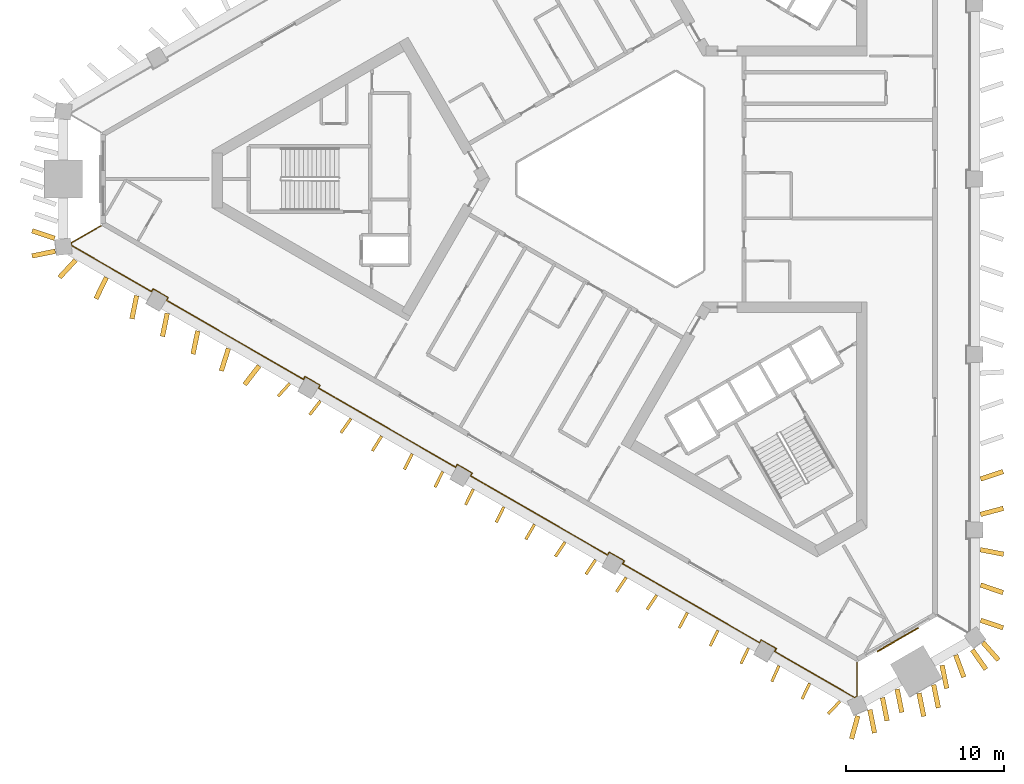
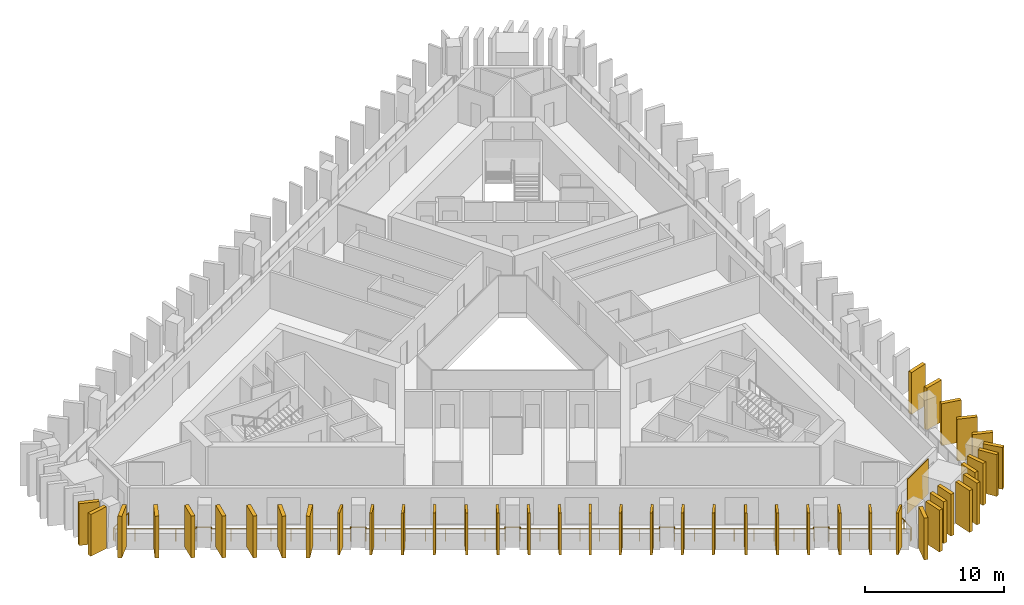
# One storey, part 8 of 11: 43 shading devices, 1 covering, 1 railing.
"""IFC4 building model written with IfcOpenShell, lengths in metres."""

from ifc_helpers import new_model, si_unit, direction, frame, frame_2d, origin, origin_2d, place, context, subcontext, project, spatial, rectangle, circle, extrude, material, layer, layer_set, type_object, element, save


model = new_model("IFC4")

# Units and contexts
model_context = context("Model", 3, precision=1e-05, world=origin(), true_north=direction((0.0, 1.0)))
body_context = subcontext(model_context, "Body", "Model", "MODEL_VIEW")
ifc_project = project(units=[si_unit("LENGTHUNIT", "METRE"), si_unit("AREAUNIT", "SQUARE_METRE"), si_unit("VOLUMEUNIT", "CUBIC_METRE"), si_unit("PLANEANGLEUNIT", "RADIAN"), si_unit("MASSUNIT", "GRAM", prefix="KILO")], contexts=[model_context])

# Site, building, storey
site_placement = place(None, origin())
site = spatial("IfcSite", under=ifc_project, at=site_placement, CompositionType="ELEMENT")
building_placement = place(site_placement, origin())
building = spatial("IfcBuilding", under=site, at=building_placement, Name="Jabali Bay Hotel Tower and Convention Centre", CompositionType="ELEMENT")
storey_placement = place(building_placement, frame((0.0, 0.0, 143.800048828125)))
storey = spatial("IfcBuildingStorey", under=building, at=storey_placement, Name="L35", CompositionType="ELEMENT", Elevation=143.800048828125)

# Railing
ifc_material_1 = material(Name="Glass", Category="glass")
railing_type = type_object("IfcRailingType", Name="Loggia glass guard 1100", PredefinedType="BALUSTRADE", material=ifc_material_1)
railing_placement = place(storey_placement, frame((89.259521484375, 49.36328125, 0.0)))
element("IfcRailing", 1, at=railing_placement, inside=storey, type_object=railing_type, Name="Loggia glass guard L35", PredefinedType="BALUSTRADE", context=body_context, shape_type="SweptSolid", body=[
    extrude(circle(Radius=0.02490234375, at=origin_2d()), frame((0.0, 0.0, 1.0751953125), z_axis=(0.0, -1.0, 0.0), x_axis=(0.991444861374, 0.0, 0.13052619222)), (0.0, 0.0, 1.0), 2.16552734375),
    extrude(circle(Radius=0.02490234375, at=origin_2d()), frame((0.0, -2.16552734375, 1.0751953125), z_axis=(-0.919226147347, -0.393729970962, 0.0), x_axis=(0.39036155648, -0.911362040227, 0.13052619222)), (0.0, 0.0, 1.0), 0.155517578125),
    extrude(circle(Radius=0.02490234375, at=origin_2d()), frame((-0.14306640625, -2.226806640625, 1.0751953125), z_axis=(-0.866030021115, 0.499992002463, 0.0), x_axis=(-0.49571450157, -0.85862101423, 0.13052619222)), (0.0, 0.0, 1.0), 5.85400390625),
    extrude(circle(Radius=0.02490234375, at=origin_2d()), frame((-5.212890625, 0.7001953125, 1.0751953125), z_axis=(0.499687197852, 0.866205924883, 0.0), x_axis=(-0.858795413117, 0.495412304605, 0.13052619222)), (0.0, 0.0, 1.0), 0.199951171875),
    extrude(circle(Radius=0.02490234375, at=origin_2d()), frame((-5.113037109375, 0.873291015625, 1.0751953125), z_axis=(-0.866008176907, 0.50002983664, 0.0), x_axis=(-0.495752012071, -0.858599356902, 0.13052619222)), (0.0, 0.0, 1.0), 1.10009765625),
    extrude(circle(Radius=0.02490234375, at=origin_2d()), frame((-6.065673828125, 1.42333984375, 1.0751953125), z_axis=(-0.499687197852, -0.866205924883, 0.0), x_axis=(0.858795413117, -0.495412304605, 0.13052619222)), (0.0, 0.0, 1.0), 0.199951171875),
    extrude(circle(Radius=0.02490234375, at=origin_2d()), frame((-6.16552734375, 1.250244140625, 1.0751953125), z_axis=(-0.866025822098, 0.499999275459, 0.0), x_axis=(-0.495721712344, -0.858616851136, 0.13052619222)), (0.0, 0.0, 1.0), 10.0263671875),
    extrude(circle(Radius=0.02490234375, at=origin_2d()), frame((-14.8486328125, 6.263427734375, 1.0751953125), z_axis=(0.499687197852, 0.866205924883, 0.0), x_axis=(-0.858795413117, 0.495412304605, 0.13052619222)), (0.0, 0.0, 1.0), 0.199951171875),
    extrude(circle(Radius=0.02490234375, at=origin_2d()), frame((-14.748779296875, 6.4365234375, 1.0751953125), z_axis=(-0.866008176907, 0.50002983664, 0.0), x_axis=(-0.495752012071, -0.858599356902, 0.13052619222)), (0.0, 0.0, 1.0), 1.10009765625),
    extrude(circle(Radius=0.02490234375, at=origin_2d()), frame((-15.701416015625, 6.986572265625, 1.0751953125), z_axis=(-0.499687197852, -0.866205924883, 0.0), x_axis=(0.858795413117, -0.495412304605, 0.13052619222)), (0.0, 0.0, 1.0), 0.199951171875),
    extrude(circle(Radius=0.02490234375, at=origin_2d()), frame((-15.80126953125, 6.8134765625, 1.0751953125), z_axis=(-0.866025822098, 0.499999275459, 0.0), x_axis=(-0.495721712344, -0.858616851136, 0.13052619222)), (0.0, 0.0, 1.0), 10.0263671875),
    extrude(circle(Radius=0.02490234375, at=origin_2d()), frame((-24.484375, 11.82666015625, 1.0751953125), z_axis=(0.499687197852, 0.866205924883, 0.0), x_axis=(-0.858795413117, 0.495412304605, 0.13052619222)), (0.0, 0.0, 1.0), 0.199951171875),
    extrude(circle(Radius=0.02490234375, at=origin_2d()), frame((-24.384521484375, 11.999755859375, 1.0751953125), z_axis=(-0.866008176907, 0.50002983664, 0.0), x_axis=(-0.495752012071, -0.858599356902, 0.13052619222)), (0.0, 0.0, 1.0), 1.10009765625),
    extrude(circle(Radius=0.02490234375, at=origin_2d()), frame((-25.337158203125, 12.5498046875, 1.0751953125), z_axis=(-0.499687197852, -0.866205924883, 0.0), x_axis=(0.858795413117, -0.495412304605, 0.13052619222)), (0.0, 0.0, 1.0), 0.199951171875),
    extrude(circle(Radius=0.02490234375, at=origin_2d()), frame((-25.43701171875, 12.376708984375, 1.0751953125), z_axis=(-0.866025822098, 0.499999275459, 0.0), x_axis=(-0.495721712344, -0.858616851136, 0.13052619222)), (0.0, 0.0, 1.0), 10.0263671875),
    extrude(circle(Radius=0.02490234375, at=origin_2d()), frame((-34.1201171875, 17.389892578125, 1.0751953125), z_axis=(0.499687197852, 0.866205924883, 0.0), x_axis=(-0.858795413117, 0.495412304605, 0.13052619222)), (0.0, 0.0, 1.0), 0.199951171875),
    extrude(circle(Radius=0.02490234375, at=origin_2d()), frame((-34.020263671875, 17.56298828125, 1.0751953125), z_axis=(-0.866008176907, 0.50002983664, 0.0), x_axis=(-0.495752012071, -0.858599356902, 0.13052619222)), (0.0, 0.0, 1.0), 1.10009765625),
    extrude(circle(Radius=0.02490234375, at=origin_2d()), frame((-34.972900390625, 18.113037109375, 1.0751953125), z_axis=(-0.499158860599, -0.866510491504, 0.0), x_axis=(0.859097374128, -0.49488848735, 0.13052619222)), (0.0, 0.0, 1.0), 0.199951171875),
    extrude(circle(Radius=0.02490234375, at=origin_2d()), frame((-35.07275390625, 17.939697265625, 1.0751953125), z_axis=(-0.866015278261, 0.50001753751, 0.0), x_axis=(-0.495739818162, -0.858606397503, 0.13052619222)), (0.0, 0.0, 1.0), 10.026611328125),
    extrude(circle(Radius=0.02490234375, at=origin_2d()), frame((-43.755859375, 22.953125, 1.0751953125), z_axis=(0.499687197852, 0.866205924883, 0.0), x_axis=(-0.858795413117, 0.495412304605, 0.13052619222)), (0.0, 0.0, 1.0), 0.199951171875),
    extrude(circle(Radius=0.02490234375, at=origin_2d()), frame((-43.656005859375, 23.126220703125, 1.0751953125), z_axis=(-0.866008176907, 0.50002983664, 0.0), x_axis=(-0.495752012071, -0.858599356902, 0.13052619222)), (0.0, 0.0, 1.0), 1.10009765625),
    extrude(circle(Radius=0.02490234375, at=origin_2d()), frame((-44.608642578125, 23.67626953125, 1.0751953125), z_axis=(-0.499158860599, -0.866510491504, 0.0), x_axis=(0.859097374128, -0.49488848735, 0.13052619222)), (0.0, 0.0, 1.0), 0.199951171875),
    extrude(circle(Radius=0.02490234375, at=origin_2d()), frame((-44.70849609375, 23.5029296875, 1.0751953125), z_axis=(-0.866022388905, 0.500005221889, 0.0), x_axis=(-0.495727607902, -0.858613447314, 0.13052619222)), (0.0, 0.0, 1.0), 5.8544921875),
    extrude(circle(Radius=0.02490234375, at=origin_2d()), frame((-49.778564453125, 26.43017578125, 1.0751953125), z_axis=(-0.117660413428, 0.993053889329, 0.0), x_axis=(-0.984558175643, -0.11665381228, 0.13052619222)), (0.0, 0.0, 1.0), 0.155517578125),
    extrude(circle(Radius=0.02490234375, at=origin_2d()), frame((-49.796875, 26.584716796875, 1.0751953125), z_axis=(0.866007213464, 0.500031505235, 0.0), x_axis=(-0.495753666391, 0.858598401702, 0.13052619222)), (0.0, 0.0, 1.0), 2.165283203125),
    extrude(circle(Radius=0.02001953125, at=origin_2d()), origin(), (0.0, 0.0, 1.0), 1.050048828125),
    extrude(circle(Radius=0.02001953125, at=origin_2d()), frame((0.0, -1.082763671875, 0.0)), (0.0, 0.0, 1.0), 1.050048828125),
    extrude(circle(Radius=0.02001953125, at=origin_2d()), frame((0.0, -2.16552734375, 0.0)), (0.0, 0.0, 1.0), 1.050048828125),
    extrude(circle(Radius=0.02001953125, at=origin_2d()), frame((-0.14306640625, -2.226806640625, 0.0)), (0.0, 0.0, 1.0), 1.050048828125),
    extrude(circle(Radius=0.02001953125, at=origin_2d()), frame((-1.41064453125, -1.4951171875, 0.0)), (0.0, 0.0, 1.0), 1.050048828125),
    extrude(circle(Radius=0.02001953125, at=origin_2d()), frame((-2.677978515625, -0.76318359375, 0.0)), (0.0, 0.0, 1.0), 1.050048828125),
    extrude(circle(Radius=0.02001953125, at=origin_2d()), frame((-3.9453125, -0.031494140625, 0.0)), (0.0, 0.0, 1.0), 1.050048828125),
    extrude(circle(Radius=0.02001953125, at=origin_2d()), frame((-5.212890625, 0.7001953125, 0.0)), (0.0, 0.0, 1.0), 1.050048828125),
    extrude(circle(Radius=0.02001953125, at=origin_2d()), frame((-5.113037109375, 0.873291015625, 0.0)), (0.0, 0.0, 1.0), 1.050048828125),
    extrude(circle(Radius=0.02001953125, at=origin_2d()), frame((-6.065673828125, 1.42333984375, 0.0)), (0.0, 0.0, 1.0), 1.050048828125),
    extrude(circle(Radius=0.02001953125, at=origin_2d()), frame((-6.16552734375, 1.250244140625, 0.0)), (0.0, 0.0, 1.0), 1.050048828125),
    extrude(circle(Radius=0.02001953125, at=origin_2d()), frame((-7.406005859375, 1.96630859375, 0.0)), (0.0, 0.0, 1.0), 1.050048828125),
    extrude(circle(Radius=0.02001953125, at=origin_2d()), frame((-8.646484375, 2.6826171875, 0.0)), (0.0, 0.0, 1.0), 1.050048828125),
    extrude(circle(Radius=0.02001953125, at=origin_2d()), frame((-9.886962890625, 3.398681640625, 0.0)), (0.0, 0.0, 1.0), 1.050048828125),
    extrude(circle(Radius=0.02001953125, at=origin_2d()), frame((-11.127197265625, 4.114990234375, 0.0)), (0.0, 0.0, 1.0), 1.050048828125),
    extrude(circle(Radius=0.02001953125, at=origin_2d()), frame((-12.36767578125, 4.8310546875, 0.0)), (0.0, 0.0, 1.0), 1.050048828125),
    extrude(circle(Radius=0.02001953125, at=origin_2d()), frame((-13.608154296875, 5.54736328125, 0.0)), (0.0, 0.0, 1.0), 1.050048828125),
    extrude(circle(Radius=0.02001953125, at=origin_2d()), frame((-14.8486328125, 6.263427734375, 0.0)), (0.0, 0.0, 1.0), 1.050048828125),
    extrude(circle(Radius=0.02001953125, at=origin_2d()), frame((-14.748779296875, 6.4365234375, 0.0)), (0.0, 0.0, 1.0), 1.050048828125),
    extrude(circle(Radius=0.02001953125, at=origin_2d()), frame((-15.701416015625, 6.986572265625, 0.0)), (0.0, 0.0, 1.0), 1.050048828125),
    extrude(circle(Radius=0.02001953125, at=origin_2d()), frame((-15.80126953125, 6.8134765625, 0.0)), (0.0, 0.0, 1.0), 1.050048828125),
    extrude(circle(Radius=0.02001953125, at=origin_2d()), frame((-17.041748046875, 7.529541015625, 0.0)), (0.0, 0.0, 1.0), 1.050048828125),
    extrude(circle(Radius=0.02001953125, at=origin_2d()), frame((-18.2822265625, 8.245849609375, 0.0)), (0.0, 0.0, 1.0), 1.050048828125),
    extrude(circle(Radius=0.02001953125, at=origin_2d()), frame((-19.522705078125, 8.9619140625, 0.0)), (0.0, 0.0, 1.0), 1.050048828125),
    extrude(circle(Radius=0.02001953125, at=origin_2d()), frame((-20.762939453125, 9.67822265625, 0.0)), (0.0, 0.0, 1.0), 1.050048828125),
    extrude(circle(Radius=0.02001953125, at=origin_2d()), frame((-22.00341796875, 10.394287109375, 0.0)), (0.0, 0.0, 1.0), 1.050048828125),
    extrude(circle(Radius=0.02001953125, at=origin_2d()), frame((-23.243896484375, 11.110595703125, 0.0)), (0.0, 0.0, 1.0), 1.050048828125),
    extrude(circle(Radius=0.02001953125, at=origin_2d()), frame((-24.484375, 11.82666015625, 0.0)), (0.0, 0.0, 1.0), 1.050048828125),
    extrude(circle(Radius=0.02001953125, at=origin_2d()), frame((-24.384521484375, 11.999755859375, 0.0)), (0.0, 0.0, 1.0), 1.050048828125),
    extrude(circle(Radius=0.02001953125, at=origin_2d()), frame((-25.337158203125, 12.5498046875, 0.0)), (0.0, 0.0, 1.0), 1.050048828125),
    extrude(circle(Radius=0.02001953125, at=origin_2d()), frame((-25.43701171875, 12.376708984375, 0.0)), (0.0, 0.0, 1.0), 1.050048828125),
    extrude(circle(Radius=0.02001953125, at=origin_2d()), frame((-26.677490234375, 13.0927734375, 0.0)), (0.0, 0.0, 1.0), 1.050048828125),
    extrude(circle(Radius=0.02001953125, at=origin_2d()), frame((-27.91796875, 13.80908203125, 0.0)), (0.0, 0.0, 1.0), 1.050048828125),
    extrude(circle(Radius=0.02001953125, at=origin_2d()), frame((-29.158447265625, 14.525146484375, 0.0)), (0.0, 0.0, 1.0), 1.050048828125),
    extrude(circle(Radius=0.02001953125, at=origin_2d()), frame((-30.398681640625, 15.241455078125, 0.0)), (0.0, 0.0, 1.0), 1.050048828125),
    extrude(circle(Radius=0.02001953125, at=origin_2d()), frame((-31.63916015625, 15.95751953125, 0.0)), (0.0, 0.0, 1.0), 1.050048828125),
    extrude(circle(Radius=0.02001953125, at=origin_2d()), frame((-32.879638671875, 16.673828125, 0.0)), (0.0, 0.0, 1.0), 1.050048828125),
    extrude(circle(Radius=0.02001953125, at=origin_2d()), frame((-34.1201171875, 17.389892578125, 0.0)), (0.0, 0.0, 1.0), 1.050048828125),
    extrude(circle(Radius=0.02001953125, at=origin_2d()), frame((-34.020263671875, 17.56298828125, 0.0)), (0.0, 0.0, 1.0), 1.050048828125),
    extrude(circle(Radius=0.02001953125, at=origin_2d()), frame((-34.972900390625, 18.113037109375, 0.0)), (0.0, 0.0, 1.0), 1.050048828125),
    extrude(circle(Radius=0.02001953125, at=origin_2d()), frame((-35.07275390625, 17.939697265625, 0.0)), (0.0, 0.0, 1.0), 1.050048828125),
    extrude(circle(Radius=0.02001953125, at=origin_2d()), frame((-36.313232421875, 18.656005859375, 0.0)), (0.0, 0.0, 1.0), 1.050048828125),
    extrude(circle(Radius=0.02001953125, at=origin_2d()), frame((-37.5537109375, 19.3720703125, 0.0)), (0.0, 0.0, 1.0), 1.050048828125),
    extrude(circle(Radius=0.02001953125, at=origin_2d()), frame((-38.794189453125, 20.08837890625, 0.0)), (0.0, 0.0, 1.0), 1.050048828125),
    extrude(circle(Radius=0.02001953125, at=origin_2d()), frame((-40.034423828125, 20.804443359375, 0.0)), (0.0, 0.0, 1.0), 1.050048828125),
    extrude(circle(Radius=0.02001953125, at=origin_2d()), frame((-41.27490234375, 21.520751953125, 0.0)), (0.0, 0.0, 1.0), 1.050048828125),
    extrude(circle(Radius=0.02001953125, at=origin_2d()), frame((-42.515380859375, 22.23681640625, 0.0)), (0.0, 0.0, 1.0), 1.050048828125),
    extrude(circle(Radius=0.02001953125, at=origin_2d()), frame((-43.755859375, 22.953125, 0.0)), (0.0, 0.0, 1.0), 1.050048828125),
    extrude(circle(Radius=0.02001953125, at=origin_2d()), frame((-43.656005859375, 23.126220703125, 0.0)), (0.0, 0.0, 1.0), 1.050048828125),
    extrude(circle(Radius=0.02001953125, at=origin_2d()), frame((-44.608642578125, 23.67626953125, 0.0)), (0.0, 0.0, 1.0), 1.050048828125),
    extrude(circle(Radius=0.02001953125, at=origin_2d()), frame((-44.70849609375, 23.5029296875, 0.0)), (0.0, 0.0, 1.0), 1.050048828125),
    extrude(circle(Radius=0.02001953125, at=origin_2d()), frame((-45.97607421875, 24.23486328125, 0.0)), (0.0, 0.0, 1.0), 1.050048828125),
    extrude(circle(Radius=0.02001953125, at=origin_2d()), frame((-47.24365234375, 24.966552734375, 0.0)), (0.0, 0.0, 1.0), 1.050048828125),
    extrude(circle(Radius=0.02001953125, at=origin_2d()), frame((-48.510986328125, 25.6982421875, 0.0)), (0.0, 0.0, 1.0), 1.050048828125),
    extrude(circle(Radius=0.02001953125, at=origin_2d()), frame((-49.778564453125, 26.43017578125, 0.0)), (0.0, 0.0, 1.0), 1.050048828125),
    extrude(circle(Radius=0.02001953125, at=origin_2d()), frame((-49.796875, 26.584716796875, 0.0)), (0.0, 0.0, 1.0), 1.050048828125),
    extrude(circle(Radius=0.02001953125, at=origin_2d()), frame((-48.859375, 27.1259765625, 0.0)), (0.0, 0.0, 1.0), 1.050048828125),
    extrude(circle(Radius=0.02001953125, at=origin_2d()), frame((-47.921630859375, 27.66748046875, 0.0)), (0.0, 0.0, 1.0), 1.050048828125),
])

# Shading devices
ifc_material_2 = material(Name="Precast concrete C60", Category="concrete")
ifc_layer_1 = layer(ifc_material_2, 0.179931640625)
ifc_layer_set_1 = layer_set([ifc_layer_1], Name="Precast concrete C60")
shading_device_type_1 = type_object("IfcShadingDeviceType", Name="Precast fin 3680 x 1100", PredefinedType="USERDEFINED", material=ifc_layer_set_1)
for number, where, z_axis, x_axis, name in (
    (2, (53.312255859375, 67.043701171875, 0.010009765625), (0.0, 0.0, 1.0), (-0.674890072944, -0.737918281005, 0.0), "Fin L35 075"),
    (3, (55.253173828125, 65.931396484375, 0.010009765625), (0.0, 0.0, 1.0), (-0.613863788007, -0.789411964549, 0.0), "Fin L35 076"),
    (4, (57.192626953125, 64.81640625, 0.010009765625), (0.0, 0.0, 1.0), (-0.577284297539, -0.816543225931, 0.0), "Fin L35 077"),
    (5, (59.132568359375, 63.7021484375, 0.010009765625), (0.0, 0.0, 1.0), (-0.529559967208, -0.848272504052, 0.0), "Fin L35 078"),
):
    element("IfcShadingDevice", number, at=place(storey_placement, frame(where, z_axis=z_axis, x_axis=x_axis)), inside=storey, type_object=shading_device_type_1, Name=name, ObjectType="FIN", PredefinedType="USERDEFINED", context=body_context, shape_type="SweptSolid", body=[
        extrude(rectangle(XDim=1.10009765625, YDim=0.179931640625, at=frame_2d((0.550048828125, 0.0))), origin(), (0.0, 0.0, 1.0), 3.679931640625),
    ])
shading_device_1_placement = place(storey_placement, frame((61.068603515625, 62.581298828125, 0.010009765625), z_axis=(0.0, 0.0, 1.0), x_axis=(-0.443925530237, -0.896063682784, 0.0)))
element("IfcShadingDevice", 6, at=shading_device_1_placement, inside=storey, type_object=shading_device_type_1, Name="Fin L35 079", ObjectType="FIN", PredefinedType="USERDEFINED", context=body_context, shape_type="SweptSolid", body=[
    extrude(rectangle(XDim=1.099853515625, YDim=0.179931640625, at=frame_2d((0.5498046875, 0.0))), origin(), (0.0, 0.0, 1.0), 3.679931640625),
])
for number, where, z_axis, x_axis, name in (
    (7, (63.005859375, 61.462646484375, 0.010009765625), (0.0, 0.0, 1.0), (-0.441433910619, -0.89729376603, 0.0), "Fin L35 080"),
    (8, (64.943359375, 60.34423828125, 0.010009765625), (0.0, 0.0, 1.0), (-0.442057723155, -0.896986604916, 0.0), "Fin L35 081"),
):
    element("IfcShadingDevice", number, at=place(storey_placement, frame(where, z_axis=z_axis, x_axis=x_axis)), inside=storey, type_object=shading_device_type_1, Name=name, ObjectType="FIN", PredefinedType="USERDEFINED", context=body_context, shape_type="SweptSolid", body=[
        extrude(rectangle(XDim=1.10009765625, YDim=0.179931640625, at=frame_2d((0.550048828125, 0.0))), origin(), (0.0, 0.0, 1.0), 3.679931640625),
    ])
for number, where, z_axis, x_axis, name in (
    (9, (66.880615234375, 59.2255859375, 0.010009765625), (0.0, 0.0, 1.0), (-0.442412334296, -0.896811756425, 0.0), "Fin L35 082"),
    (10, (68.82080078125, 58.112060546875, 0.010009765625), (0.0, 0.0, 1.0), (-0.499004859493, -0.866599186592, 0.0), "Fin L35 083"),
):
    element("IfcShadingDevice", number, at=place(storey_placement, frame(where, z_axis=z_axis, x_axis=x_axis)), inside=storey, type_object=shading_device_type_1, Name=name, ObjectType="FIN", PredefinedType="USERDEFINED", context=body_context, shape_type="SweptSolid", body=[
        extrude(rectangle(XDim=1.099853515625, YDim=0.179931640625, at=frame_2d((0.5498046875, 0.0))), origin(), (0.0, 0.0, 1.0), 3.679931640625),
    ])
for number, where, z_axis, x_axis, name in (
    (11, (70.75537109375, 56.988525390625, 0.010009765625), (0.0, 0.0, 1.0), (-0.555314670975, -0.831640316603, 0.0), "Fin L35 084"),
    (12, (72.69287109375, 55.8701171875, 0.010009765625), (0.0, 0.0, 1.0), (-0.555468147734, -0.831537814446, 0.0), "Fin L35 085"),
):
    element("IfcShadingDevice", number, at=place(storey_placement, frame(where, z_axis=z_axis, x_axis=x_axis)), inside=storey, type_object=shading_device_type_1, Name=name, ObjectType="FIN", PredefinedType="USERDEFINED", context=body_context, shape_type="SweptSolid", body=[
        extrude(rectangle(XDim=1.10009765625, YDim=0.179931640625, at=frame_2d((0.550048828125, 0.0))), origin(), (0.0, 0.0, 1.0), 3.679931640625),
    ])
for number, where, z_axis, x_axis, name in (
    (13, (74.630126953125, 54.75146484375, 0.010009765625), (0.0, 0.0, 1.0), (-0.555570666114, -0.831469322918, 0.0), "Fin L35 086"),
    (14, (76.5673828125, 53.6328125, 0.010009765625), (0.0, 0.0, 1.0), (-0.555826639947, -0.831298229473, 0.0), "Fin L35 087"),
):
    element("IfcShadingDevice", number, at=place(storey_placement, frame(where, z_axis=z_axis, x_axis=x_axis)), inside=storey, type_object=shading_device_type_1, Name=name, ObjectType="FIN", PredefinedType="USERDEFINED", context=body_context, shape_type="SweptSolid", body=[
        extrude(rectangle(XDim=1.099853515625, YDim=0.179931640625, at=frame_2d((0.5498046875, 0.0))), origin(), (0.0, 0.0, 1.0), 3.679931640625),
    ])
shading_device_2_placement = place(storey_placement, frame((78.506103515625, 52.5166015625, 0.010009765625), z_axis=(0.0, 0.0, 1.0), x_axis=(-0.467163590327, -0.884170899698, 0.0)))
element("IfcShadingDevice", 15, at=shading_device_2_placement, inside=storey, type_object=shading_device_type_1, Name="Fin L35 088", ObjectType="FIN", PredefinedType="USERDEFINED", context=body_context, shape_type="SweptSolid", body=[
    extrude(rectangle(XDim=1.10009765625, YDim=0.179931640625, at=frame_2d((0.550048828125, 0.0))), origin(), (0.0, 0.0, 1.0), 3.679931640625),
])
for number, where, z_axis, x_axis, name in (
    (16, (80.442138671875, 51.3955078125, 0.010009765625), (0.0, 0.0, 1.0), (-0.439027003366, -0.898473867353, 0.0), "Fin L35 089"),
    (17, (82.379150390625, 50.2763671875, 0.010009765625), (0.0, 0.0, 1.0), (-0.432593963076, -0.901588854806, 0.0), "Fin L35 090"),
):
    element("IfcShadingDevice", number, at=place(storey_placement, frame(where, z_axis=z_axis, x_axis=x_axis)), inside=storey, type_object=shading_device_type_1, Name=name, ObjectType="FIN", PredefinedType="USERDEFINED", context=body_context, shape_type="SweptSolid", body=[
        extrude(rectangle(XDim=1.099853515625, YDim=0.179931640625, at=frame_2d((0.5498046875, 0.0))), origin(), (0.0, 0.0, 1.0), 3.679931640625),
    ])
shading_device_3_placement = place(storey_placement, frame((84.315673828125, 49.15625, 0.010009765625), z_axis=(0.0, 0.0, 1.0), x_axis=(-0.413702611183, -0.910412076755, 0.0)))
element("IfcShadingDevice", 18, at=shading_device_3_placement, inside=storey, type_object=shading_device_type_1, Name="Fin L35 091", ObjectType="FIN", PredefinedType="USERDEFINED", context=body_context, shape_type="SweptSolid", body=[
    extrude(rectangle(XDim=1.10009765625, YDim=0.179931640625, at=frame_2d((0.550048828125, 0.0))), origin(), (0.0, 0.0, 1.0), 3.679931640625),
])
shading_device_4_placement = place(storey_placement, frame((86.25390625, 48.039306640625, 0.010009765625), z_axis=(0.0, 0.0, 1.0), x_axis=(-0.432413516674, -0.901675413105, 0.0)))
element("IfcShadingDevice", 19, at=shading_device_4_placement, inside=storey, type_object=shading_device_type_1, Name="Fin L35 092", ObjectType="FIN", PredefinedType="USERDEFINED", context=body_context, shape_type="SweptSolid", body=[
    extrude(rectangle(XDim=1.099853515625, YDim=0.179931640625, at=frame_2d((0.5498046875, 0.0))), origin(), (0.0, 0.0, 1.0), 3.679931640625),
])
shading_device_5_placement = place(storey_placement, frame((88.184326171875, 46.908935546875, 0.010009765625), z_axis=(0.0, 0.0, 1.0), x_axis=(-0.685364699005, -0.728199992693, 0.0)))
element("IfcShadingDevice", 20, at=shading_device_5_placement, inside=storey, type_object=shading_device_type_1, Name="Fin L35 093", ObjectType="FIN", PredefinedType="USERDEFINED", context=body_context, shape_type="SweptSolid", body=[
    extrude(rectangle(XDim=1.10009765625, YDim=0.179931640625, at=frame_2d((0.550048828125, 0.0))), origin(), (0.0, 0.0, 1.0), 3.679931640625),
])
ifc_layer_2 = layer(ifc_material_2, 0.300048828125)
ifc_layer_set_2 = layer_set([ifc_layer_2], Name="Precast concrete C60")
shading_device_type_2 = type_object("IfcShadingDeviceType", Name="Precast fin 3680 x 1500", PredefinedType="USERDEFINED", material=ifc_layer_set_2)
shading_device_6_placement = place(storey_placement, frame((97.092529296875, 52.036376953125, 0.010009765625), z_axis=(0.0, 0.0, 1.0), x_axis=(0.948079364295, -0.318033833104, 0.0)))
element("IfcShadingDevice", 21, at=shading_device_6_placement, inside=storey, type_object=shading_device_type_2, Name="Fin L35 000", ObjectType="FIN", PredefinedType="USERDEFINED", context=body_context, shape_type="SweptSolid", body=[
    extrude(rectangle(XDim=1.5, YDim=0.300048828125, at=frame_2d((0.75, 0.0))), origin(), (0.0, 0.0, 1.0), 3.679931640625),
])
shading_device_7_placement = place(storey_placement, frame((97.092529296875, 54.273681640625, 0.010009765625), z_axis=(0.0, 0.0, 1.0), x_axis=(0.947981177855, -0.3183263835, 0.0)))
element("IfcShadingDevice", 22, at=shading_device_7_placement, inside=storey, type_object=shading_device_type_2, Name="Fin L35 001", ObjectType="FIN", PredefinedType="USERDEFINED", context=body_context, shape_type="SweptSolid", body=[
    extrude(rectangle(XDim=1.500244140625, YDim=0.300048828125, at=frame_2d((0.75, 0.0))), origin(), (0.0, 0.0, 1.0), 3.679931640625),
])
for number, where, z_axis, x_axis, name in (
    (23, (97.073486328125, 56.5107421875, 0.010009765625), (0.0, 0.0, 1.0), (0.981824882514, -0.189789093669, 0.0), "Fin L35 002"),
    (24, (97.083251953125, 58.747802734375, 0.010009765625), (0.0, 0.0, 1.0), (0.966668506699, 0.256031244492, 0.0), "Fin L35 003"),
    (25, (97.092529296875, 60.98486328125, 0.010009765625), (0.0, 0.0, 1.0), (0.948030279817, 0.318180119664, 0.0), "Fin L35 004"),
    (26, (38.416259765625, 76.239990234375, 0.010009765625), (0.0, 0.0, 1.0), (-0.948030279817, 0.318180119664, 0.0), "Fin L35 067"),
    (27, (39.74365234375, 74.861328125, 0.010009765625), (0.0, 0.0, 1.0), (-0.680669571172, -0.732590564286, 0.0), "Fin L35 068"),
    (28, (41.692626953125, 73.7626953125, 0.010009765625), (0.0, 0.0, 1.0), (-0.438991167447, -0.8984913772, 0.0), "Fin L35 069"),
):
    element("IfcShadingDevice", number, at=place(storey_placement, frame(where, z_axis=z_axis, x_axis=x_axis)), inside=storey, type_object=shading_device_type_2, Name=name, ObjectType="FIN", PredefinedType="USERDEFINED", context=body_context, shape_type="SweptSolid", body=[
        extrude(rectangle(XDim=1.5, YDim=0.300048828125, at=frame_2d((0.75, 0.0))), origin(), (0.0, 0.0, 1.0), 3.679931640625),
    ])
shading_device_8_placement = place(storey_placement, frame((43.611328125, 72.61181640625, 0.010009765625), z_axis=(0.0, 0.0, 1.0), x_axis=(-0.19858847642, -0.980082964362, 0.0)))
element("IfcShadingDevice", 29, at=shading_device_8_placement, inside=storey, type_object=shading_device_type_2, Name="Fin L35 070", ObjectType="FIN", PredefinedType="USERDEFINED", context=body_context, shape_type="SweptSolid", body=[
    extrude(rectangle(XDim=1.499755859375, YDim=0.300048828125, at=frame_2d((0.75, 0.0))), origin(), (0.0, 0.0, 1.0), 3.679931640625),
])
shading_device_9_placement = place(storey_placement, frame((45.548828125, 71.493408203125, 0.010009765625), z_axis=(0.0, 0.0, 1.0), x_axis=(-0.199213786702, -0.979956053702, 0.0)))
element("IfcShadingDevice", 30, at=shading_device_9_placement, inside=storey, type_object=shading_device_type_2, Name="Fin L35 071", ObjectType="FIN", PredefinedType="USERDEFINED", context=body_context, shape_type="SweptSolid", body=[
    extrude(rectangle(XDim=1.5, YDim=0.300048828125, at=frame_2d((0.75, 0.0))), origin(), (0.0, 0.0, 1.0), 3.679931640625),
])
shading_device_10_placement = place(storey_placement, frame((47.486328125, 70.375244140625, 0.010009765625), z_axis=(0.0, 0.0, 1.0), x_axis=(-0.201152370173, -0.97955996446, 0.0)))
element("IfcShadingDevice", 31, at=shading_device_10_placement, inside=storey, type_object=shading_device_type_2, Name="Fin L35 072", ObjectType="FIN", PredefinedType="USERDEFINED", context=body_context, shape_type="SweptSolid", body=[
    extrude(rectangle(XDim=1.500244140625, YDim=0.300048828125, at=frame_2d((0.75, 0.0))), origin(), (0.0, 0.0, 1.0), 3.679931640625),
])
for number, where, z_axis, x_axis, name in (
    (32, (49.43115234375, 69.269775390625, 0.010009765625), (0.0, 0.0, 1.0), (-0.302229433004, -0.953235212225, 0.0), "Fin L35 073"),
    (33, (51.37451171875, 68.16162109375, 0.010009765625), (0.0, 0.0, 1.0), (-0.612452180907, -0.790507638231, 0.0), "Fin L35 074"),
):
    element("IfcShadingDevice", number, at=place(storey_placement, frame(where, z_axis=z_axis, x_axis=x_axis)), inside=storey, type_object=shading_device_type_2, Name=name, ObjectType="FIN", PredefinedType="USERDEFINED", context=body_context, shape_type="SweptSolid", body=[
        extrude(rectangle(XDim=1.5, YDim=0.300048828125, at=frame_2d((0.75, 0.0))), origin(), (0.0, 0.0, 1.0), 3.679931640625),
    ])
shading_device_11_placement = place(storey_placement, frame((90.07373046875, 46.371337890625, 0.010009765625), z_axis=(0.0, 0.0, 1.0), x_axis=(0.198432110916, -0.980114634804, 0.0)))
element("IfcShadingDevice", 34, at=shading_device_11_placement, inside=storey, type_object=shading_device_type_2, Name="Fin L35 094", ObjectType="FIN", PredefinedType="USERDEFINED", context=body_context, shape_type="SweptSolid", body=[
    extrude(rectangle(XDim=1.499755859375, YDim=0.300048828125, at=frame_2d((0.75, 0.0))), origin(), (0.0, 0.0, 1.0), 3.679931640625),
])
shading_device_12_placement = place(storey_placement, frame((90.872314453125, 47.13671875, 0.010009765625), z_axis=(0.0, 0.0, 1.0), x_axis=(0.198400456872, -0.980121042889, 0.0)))
element("IfcShadingDevice", 35, at=shading_device_12_placement, inside=storey, type_object=shading_device_type_2, Name="Fin L35 095", ObjectType="FIN", PredefinedType="USERDEFINED", context=body_context, shape_type="SweptSolid", body=[
    extrude(rectangle(XDim=1.5, YDim=0.300048828125, at=frame_2d((0.75, 0.0))), origin(), (0.0, 0.0, 1.0), 3.679931640625),
])
shading_device_13_placement = place(storey_placement, frame((91.802734375, 47.673828125, 0.010009765625), z_axis=(0.0, 0.0, 1.0), x_axis=(0.198432110916, -0.980114634804, 0.0)))
element("IfcShadingDevice", 36, at=shading_device_13_placement, inside=storey, type_object=shading_device_type_2, Name="Fin L35 096", ObjectType="FIN", PredefinedType="USERDEFINED", context=body_context, shape_type="SweptSolid", body=[
    extrude(rectangle(XDim=1.499755859375, YDim=0.300048828125, at=frame_2d((0.75, 0.0))), origin(), (0.0, 0.0, 1.0), 3.679931640625),
])
for number, where, z_axis, x_axis, name in (
    (37, (93.189208984375, 47.4208984375, 0.010009765625), (0.0, 0.0, 1.0), (0.198400456872, -0.980121042889, 0.0), "Fin L35 097"),
    (38, (94.11962890625, 47.9580078125, 0.010009765625), (0.0, 0.0, 1.0), (0.198400456872, -0.980121042889, 0.0), "Fin L35 098"),
    (39, (94.649169921875, 49.189697265625, 0.010009765625), (0.0, 0.0, 1.0), (0.198244099119, -0.980152680537, 0.0), "Fin L35 099"),
    (40, (95.51318359375, 49.841552734375, 0.010009765625), (0.0, 0.0, 1.0), (0.343924632113, -0.938997256346, 0.0), "Fin L35 100"),
    (41, (96.5693359375, 50.160888671875, 0.010009765625), (0.0, 0.0, 1.0), (0.572894205867, -0.819629324075, 0.0), "Fin L35 101"),
    (42, (97.23486328125, 50.639404296875, 0.010009765625), (0.0, 0.0, 1.0), (0.662138282662, -0.749381674871, 0.0), "Fin L35 102"),
):
    element("IfcShadingDevice", number, at=place(storey_placement, frame(where, z_axis=z_axis, x_axis=x_axis)), inside=storey, type_object=shading_device_type_2, Name=name, ObjectType="FIN", PredefinedType="USERDEFINED", context=body_context, shape_type="SweptSolid", body=[
        extrude(rectangle(XDim=1.5, YDim=0.300048828125, at=frame_2d((0.75, 0.0))), origin(), (0.0, 0.0, 1.0), 3.679931640625),
    ])
shading_device_14_placement = place(storey_placement, frame((38.45556640625, 75.42431640625, 0.010009765625), z_axis=(0.0, 0.0, 1.0), x_axis=(-0.980114634804, -0.198432110916, 0.0)))
element("IfcShadingDevice", 43, at=shading_device_14_placement, inside=storey, type_object=shading_device_type_2, Name="Fin L35 106", ObjectType="FIN", PredefinedType="USERDEFINED", context=body_context, shape_type="SweptSolid", body=[
    extrude(rectangle(XDim=1.499755859375, YDim=0.300048828125, at=frame_2d((0.75, 0.0))), origin(), (0.0, 0.0, 1.0), 3.679931640625),
])
shading_device_15_placement = place(storey_placement, frame((89.3095703125, 45.9755859375, 0.010009765625), z_axis=(0.0, 0.0, 1.0), x_axis=(-0.263805865459, -0.964575795544, 0.0)))
element("IfcShadingDevice", 44, at=shading_device_15_placement, inside=storey, type_object=shading_device_type_2, Name="Fin L35 107", ObjectType="FIN", PredefinedType="USERDEFINED", context=body_context, shape_type="SweptSolid", body=[
    extrude(rectangle(XDim=1.500244140625, YDim=0.300048828125, at=frame_2d((0.75, 0.0))), origin(), (0.0, 0.0, 1.0), 3.679931640625),
])

# Covering
ifc_material_3 = material(Name="Precast concrete C40/50", Category="concrete")
ifc_layer_3 = layer(ifc_material_3, 0.080078125)
ifc_layer_set_3 = layer_set([ifc_layer_3], Name="Precast concrete C40/50")
covering_type = type_object("IfcCoveringType", Name="Relief panel 3000 x 3050", PredefinedType="CLADDING", material=ifc_layer_set_3)
covering_placement = place(storey_placement, frame((91.85107421875, 50.813232421875, 0.10009765625), z_axis=(0.0, 0.0, 1.0), x_axis=(-0.866025346573, -0.500000099094, 0.0)))
element("IfcCovering", 45, at=covering_placement, inside=storey, type_object=covering_type, Name="Relief panel L35", PredefinedType="CLADDING", context=body_context, shape_type="SweptSolid", body=[
    extrude(rectangle(XDim=3.0, YDim=0.080078125, at=origin_2d()), origin(), (0.0, 0.0, 1.0), 3.050048828125),
])

save(model, "model.ifc")
